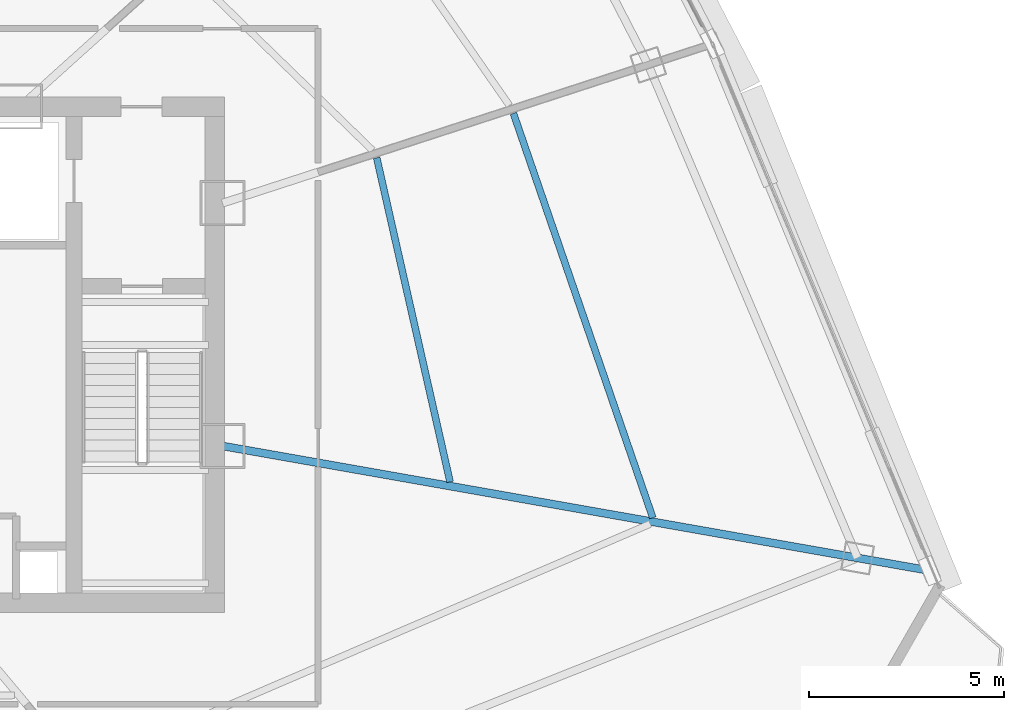
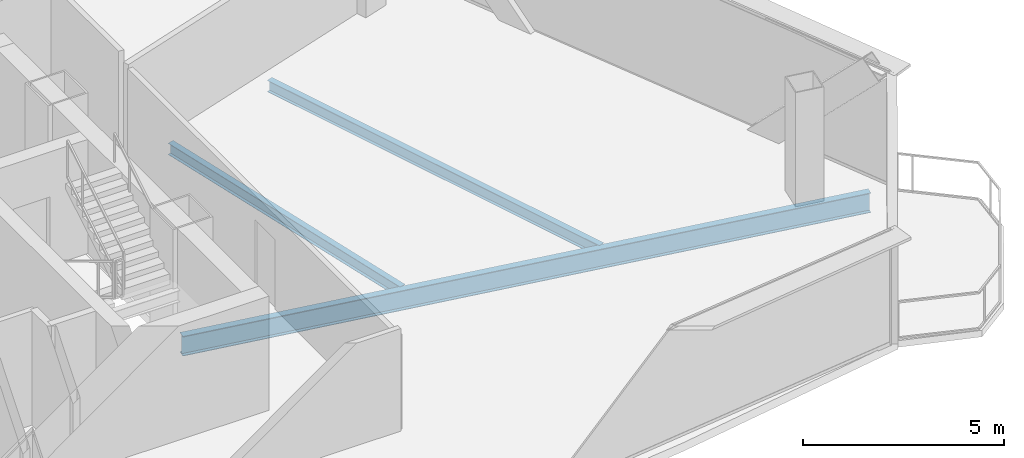
# One storey, part 14 of 35: 3 beams.
"""IFC4 building model written with IfcOpenShell, lengths in metres."""

from ifc_helpers import new_model, si_unit, direction, frame, origin, origin_2d, place, context, subcontext, project, spatial, i_section, extrude, source, transform, mapped, material, material_profile, profile_set, type_object, element, save


model = new_model("IFC4")

# Units and contexts
model_context = context("Model", 3, precision=1e-05, world=origin(), true_north=direction((0.0, 1.0)))
body_context = subcontext(model_context, "Body", "Model", "MODEL_VIEW")
ifc_project = project(units=[si_unit("LENGTHUNIT", "METRE"), si_unit("AREAUNIT", "SQUARE_METRE"), si_unit("VOLUMEUNIT", "CUBIC_METRE"), si_unit("PLANEANGLEUNIT", "RADIAN"), si_unit("MASSUNIT", "GRAM", prefix="KILO"), si_unit("THERMODYNAMICTEMPERATUREUNIT", "KELVIN"), si_unit("POWERUNIT", "WATT")], contexts=[model_context])

# Site, building, storey
site_placement = place(None, origin())
site = spatial("IfcSite", under=ifc_project, at=site_placement, CompositionType="ELEMENT")
building_placement = place(site_placement, origin())
building = spatial("IfcBuilding", under=site, at=building_placement, Name="Yunzhuo Pagoda Commons", CompositionType="ELEMENT")
storey_placement = place(building_placement, frame((0.0, 0.0, 299.93994140625)))
storey = spatial("IfcBuildingStorey", under=building, at=storey_placement, Name="L75", CompositionType="ELEMENT", Elevation=299.93994140625)

# Beams
ifc_material = material(Name="Structural steel Q355B", Category="steel")
ifc_material_profile_1 = material_profile(ifc_material, i_section(OverallWidth=0.175048828125, OverallDepth=0.35009765625, WebThickness=0.007080078125, FlangeThickness=0.010986328125, at=origin_2d()), Name="Structural steel Q355B")
ifc_profile_set_1 = profile_set([ifc_material_profile_1], Name="Structural steel Q355B")
beam_type_1 = type_object("IfcBeamType", Name="B-JS2 Joist HN 350x175x7x11", PredefinedType="JOIST", material=ifc_profile_set_1)
shared_shape_1 = source(origin(), body_context, "Body", "SweptSolid", [
    extrude(i_section(OverallWidth=0.175048828125, OverallDepth=0.35009765625, WebThickness=0.007080078125, FlangeThickness=0.010986328125, at=origin_2d()), origin(), (0.0, 0.0, 1.0), 8.508544921875),
])
beam_1_placement = place(storey_placement, frame((66.228759765625, 30.593505859375, -0.43505859375), z_axis=(-0.220769003385, 0.975326123481, 0.0), x_axis=(-0.975326123481, -0.220769003385, 0.0)))
element("IfcBeam", 1, at=beam_1_placement, inside=storey, type_object=beam_type_1, Name="L75 composite ring joist 1.5", PredefinedType="JOIST", context=body_context, shape_type="MappedRepresentation", body=[
    mapped(shared_shape_1, transform((0.0, 0.0, 0.0), scale=1.0)),
])
shared_shape_2 = source(origin(), body_context, "Body", "SweptSolid", [
    extrude(i_section(OverallWidth=0.175048828125, OverallDepth=0.35009765625, WebThickness=0.007080078125, FlangeThickness=0.010986328125, at=origin_2d()), origin(), (0.0, 0.0, 1.0), 10.954345703125),
])
beam_2_placement = place(storey_placement, frame((71.42041015625, 29.672607421875, -0.43505859375), z_axis=(-0.325839571137, 0.945425075763, 0.0), x_axis=(-0.945425075763, -0.325839571137, 0.0)))
element("IfcBeam", 2, at=beam_2_placement, inside=storey, type_object=beam_type_1, Name="L75 composite ring joist 2.5", PredefinedType="JOIST", context=body_context, shape_type="MappedRepresentation", body=[
    mapped(shared_shape_2, transform((0.0, 0.0, 0.0), scale=1.0)),
])
ifc_material_profile_2 = material_profile(ifc_material, i_section(OverallWidth=0.199951171875, OverallDepth=0.60009765625, WebThickness=0.010986328125, FlangeThickness=0.01708984375, at=origin_2d()), Name="Structural steel Q355B")
ifc_profile_set_2 = profile_set([ifc_material_profile_2], Name="Structural steel Q355B")
beam_type_2 = type_object("IfcBeamType", Name="B-RG3 Beam HN 600x200x11x17", PredefinedType="BEAM", material=ifc_profile_set_2)
shared_shape_3 = source(origin(), body_context, "Body", "SweptSolid", [
    extrude(i_section(OverallWidth=0.199951171875, OverallDepth=0.60009765625, WebThickness=0.010986328125, FlangeThickness=0.01708984375, at=origin_2d()), origin(), (0.0, 0.0, 1.0), 18.23828125),
])
beam_3_placement = place(storey_placement, frame((78.361083984375, 28.3466796875, -0.56005859375), z_axis=(-0.984810499087, 0.173632603184, 0.0), x_axis=(-0.173632603184, -0.984810499087, 0.0)))
element("IfcBeam", 3, at=beam_3_placement, inside=storey, type_object=beam_type_2, Name="L75 radial floor girder F2C1", PredefinedType="BEAM", context=body_context, shape_type="MappedRepresentation", body=[
    mapped(shared_shape_3, transform((0.0, 0.0, 0.0), scale=1.0)),
])

save(model, "model.ifc")
